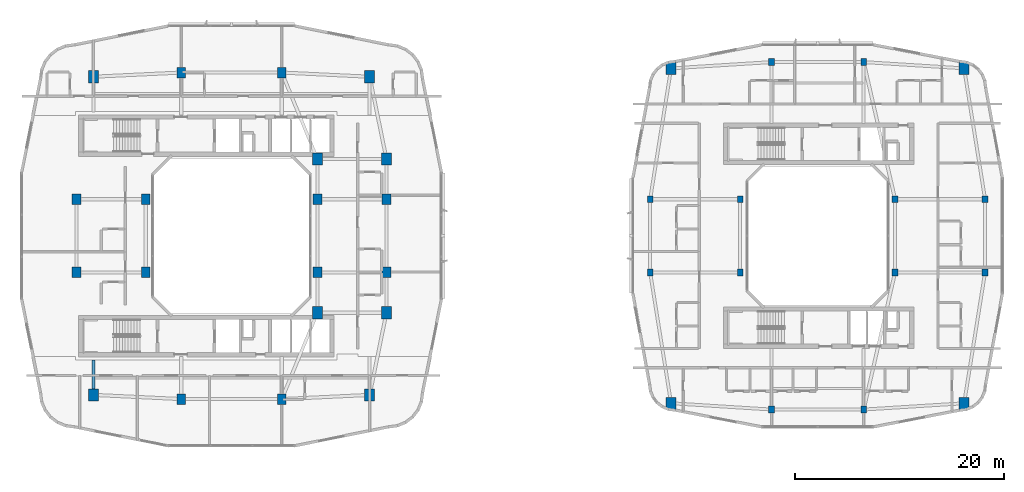
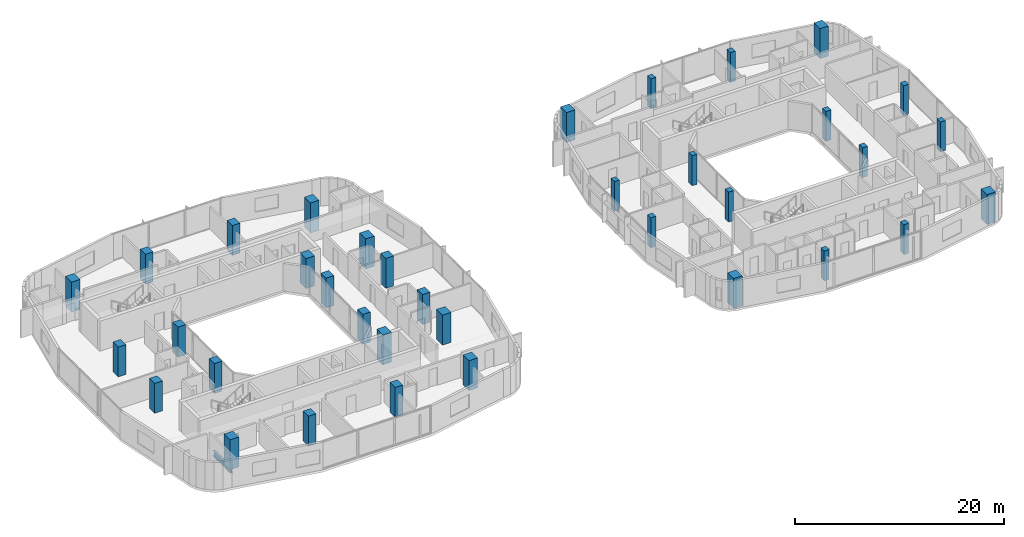
# One storey, part 1 of 26: 36 columns, 1 beam.
"""IFC4 building model written with IfcOpenShell, lengths in metres."""

from ifc_helpers import new_model, si_unit, derived_unit, direction, frame, origin, origin_2d, place, context, subcontext, project, spatial, rectangle, i_section, extrude, material, material_profile, profile_set, type_object, element, save


model = new_model("IFC4")

# Units and contexts
model_context = context("Model", 3, precision=1e-05, world=origin(), true_north=direction((0.0, 1.0)))
body_context = subcontext(model_context, "Body", "Model", "MODEL_VIEW")
ifc_project = project(units=[si_unit("LENGTHUNIT", "METRE"), si_unit("AREAUNIT", "SQUARE_METRE"), si_unit("VOLUMEUNIT", "CUBIC_METRE"), si_unit("PLANEANGLEUNIT", "RADIAN"), si_unit("MASSUNIT", "GRAM", prefix="KILO"), derived_unit("THERMALTRANSMITTANCEUNIT", [(si_unit("POWERUNIT", "WATT"), 1), (si_unit("LENGTHUNIT", "METRE"), -2), (si_unit("THERMODYNAMICTEMPERATUREUNIT", "KELVIN"), -1)])], contexts=[model_context])

# Site, building, storey
site_placement = place(None, origin())
site = spatial("IfcSite", under=ifc_project, at=site_placement, CompositionType="ELEMENT")
building_placement = place(site_placement, origin())
building = spatial("IfcBuilding", under=site, at=building_placement, Name="Kivonza Crest Hotel", CompositionType="ELEMENT")
storey_placement = place(building_placement, frame((0.0, 0.0, 109.0)))
storey = spatial("IfcBuildingStorey", under=building, at=storey_placement, Name="L29", CompositionType="ELEMENT", Elevation=109.0)

# Columns
ifc_material_1 = material(Name="Concrete C50/60", Category="concrete")
ifc_material_profile_1 = material_profile(ifc_material_1, rectangle(XDim=0.85009765625, YDim=1.0, at=origin_2d()), Name="RC 1000x850")
ifc_profile_set_1 = profile_set([ifc_material_profile_1], Name="Concrete C50/60")
column_type_1 = type_object("IfcColumnType", Name="CL-RC-1000x850", PredefinedType="COLUMN", material=ifc_profile_set_1)
for number, where, z_axis, x_axis, name in (
    (1, (16.199951171875, 9.39990234375, 0.0), (0.0, 0.0, 1.0), (1.0, 0.0, 0.0), "Tower T1 L29 column S1"),
    (2, (25.800048828125, 9.39990234375, 0.0), (0.0, 0.0, 1.0), (1.0, 0.0, 0.0), "Tower T1 L29 column S2"),
    (3, (16.199951171875, 40.60009765625, 0.0), (0.0, 0.0, 1.0), (1.0, 0.0, 0.0), "Tower T1 L29 column N1"),
    (4, (25.800048828125, 40.60009765625, 0.0), (0.0, 0.0, 1.0), (1.0, 0.0, 0.0), "Tower T1 L29 column N2"),
    (5, (6.199951171875, 21.5, 0.0), (0.0, 0.0, 1.0), (1.0, 0.0, 0.0), "Tower T1 L29 column W1"),
    (6, (6.199951171875, 28.5, 0.0), (0.0, 0.0, 1.0), (1.0, 0.0, 0.0), "Tower T1 L29 column W2"),
    (7, (35.800048828125, 21.5, 0.0), (0.0, 0.0, 1.0), (1.0, 0.0, 0.0), "Tower T1 L29 column E1"),
    (8, (35.800048828125, 28.5, 0.0), (0.0, 0.0, 1.0), (1.0, 0.0, 0.0), "Tower T1 L29 column E2"),
    (9, (12.800048828125, 21.5, 0.0), (0.0, 0.0, 1.0), (1.0, 0.0, 0.0), "Tower T1 L29 column WL1"),
    (10, (12.800048828125, 28.5, 0.0), (0.0, 0.0, 1.0), (1.0, 0.0, 0.0), "Tower T1 L29 column WL2"),
    (11, (29.199951171875, 21.5, 0.0), (0.0, 0.0, 1.0), (1.0, 0.0, 0.0), "Tower T1 L29 column WR1"),
    (12, (29.199951171875, 28.5, 0.0), (0.0, 0.0, 1.0), (1.0, 0.0, 0.0), "Tower T1 L29 column WR2"),
):
    element("IfcColumn", number, at=place(storey_placement, frame(where, z_axis=z_axis, x_axis=x_axis)), inside=storey, type_object=column_type_1, Name=name, PredefinedType="COLUMN", context=body_context, shape_type="SweptSolid", body=[
        extrude(rectangle(XDim=0.85009765625, YDim=1.0, at=origin_2d()), origin(), (0.0, 0.0, 1.0), 3.5),
    ])
ifc_material_2 = material(Name="Concrete C60/75", Category="concrete")
ifc_material_profile_2 = material_profile(ifc_material_2, rectangle(XDim=0.949951171875, YDim=1.14990234375, at=origin_2d()), Name="RC 1150x950")
ifc_profile_set_2 = profile_set([ifc_material_profile_2], Name="Concrete C60/75")
column_type_2 = type_object("IfcColumnType", Name="CL-RC-1150x950", PredefinedType="COLUMN", material=ifc_profile_set_2)
for number, where, z_axis, x_axis, name in (
    (13, (7.800048828125, 9.800048828125, 0.0), (0.0, 0.0, 1.0), (1.0, 0.0, 0.0), "Tower T1 L29 column SW"),
    (14, (34.199951171875, 9.800048828125, 0.0), (0.0, 0.0, 1.0), (1.0, 0.0, 0.0), "Tower T1 L29 column SE"),
    (15, (34.199951171875, 40.199951171875, 0.0), (0.0, 0.0, 1.0), (1.0, 0.0, 0.0), "Tower T1 L29 column NE"),
    (16, (7.800048828125, 40.199951171875, 0.0), (0.0, 0.0, 1.0), (1.0, 0.0, 0.0), "Tower T1 L29 column NW"),
    (17, (35.800048828125, 17.64990234375, 0.0), (0.0, 0.0, 1.0), (1.0, 0.0, 0.0), "Tower T1 L29 column PSE"),
    (18, (35.800048828125, 32.35009765625, 0.0), (0.0, 0.0, 1.0), (1.0, 0.0, 0.0), "Tower T1 L29 column PNE"),
    (19, (29.199951171875, 17.64990234375, 0.0), (0.0, 0.0, 1.0), (1.0, 0.0, 0.0), "Tower T1 L29 column TSE"),
    (20, (29.199951171875, 32.35009765625, 0.0), (0.0, 0.0, 1.0), (1.0, 0.0, 0.0), "Tower T1 L29 column TNE"),
    (21, (63.0, 9.0, 0.0), (0.0, 0.0, 1.0), (1.0, 0.0, 0.0), "Companion Tower T2 L29 column SW"),
    (22, (91.0, 9.0, 0.0), (0.0, 0.0, 1.0), (1.0, 0.0, 0.0), "Companion Tower T2 L29 column SE"),
    (23, (91.0, 41.0, 0.0), (0.0, 0.0, 1.0), (1.0, 0.0, 0.0), "Companion Tower T2 L29 column NE"),
    (24, (63.0, 41.0, 0.0), (0.0, 0.0, 1.0), (1.0, 0.0, 0.0), "Companion Tower T2 L29 column NW"),
):
    element("IfcColumn", number, at=place(storey_placement, frame(where, z_axis=z_axis, x_axis=x_axis)), inside=storey, type_object=column_type_2, Name=name, PredefinedType="COLUMN", context=body_context, shape_type="SweptSolid", body=[
        extrude(rectangle(XDim=0.949951171875, YDim=1.14990234375, at=origin_2d()), origin(), (0.0, 0.0, 1.0), 3.5),
    ])
ifc_material_profile_3 = material_profile(ifc_material_1, rectangle(XDim=0.550048828125, YDim=0.64990234375, at=origin_2d()), Name="RC 650x550")
ifc_profile_set_3 = profile_set([ifc_material_profile_3], Name="Concrete C50/60")
column_type_3 = type_object("IfcColumnType", Name="CL-RC-650x550", PredefinedType="COLUMN", material=ifc_profile_set_3)
for number, where, z_axis, x_axis, name in (
    (25, (72.60009765625, 8.39990234375, 0.0), (0.0, 0.0, 1.0), (1.0, 0.0, 0.0), "Companion Tower T2 L29 column S1"),
    (26, (81.39990234375, 8.39990234375, 0.0), (0.0, 0.0, 1.0), (1.0, 0.0, 0.0), "Companion Tower T2 L29 column S2"),
    (27, (72.60009765625, 41.60009765625, 0.0), (0.0, 0.0, 1.0), (1.0, 0.0, 0.0), "Companion Tower T2 L29 column N1"),
    (28, (81.39990234375, 41.60009765625, 0.0), (0.0, 0.0, 1.0), (1.0, 0.0, 0.0), "Companion Tower T2 L29 column N2"),
    (29, (61.0, 21.5, 0.0), (0.0, 0.0, 1.0), (1.0, 0.0, 0.0), "Companion Tower T2 L29 column W1"),
    (30, (61.0, 28.5, 0.0), (0.0, 0.0, 1.0), (1.0, 0.0, 0.0), "Companion Tower T2 L29 column W2"),
    (31, (93.0, 21.5, 0.0), (0.0, 0.0, 1.0), (1.0, 0.0, 0.0), "Companion Tower T2 L29 column E1"),
    (32, (93.0, 28.5, 0.0), (0.0, 0.0, 1.0), (1.0, 0.0, 0.0), "Companion Tower T2 L29 column E2"),
    (33, (69.60009765625, 21.5, 0.0), (0.0, 0.0, 1.0), (1.0, 0.0, 0.0), "Companion Tower T2 L29 column WL1"),
    (34, (69.60009765625, 28.5, 0.0), (0.0, 0.0, 1.0), (1.0, 0.0, 0.0), "Companion Tower T2 L29 column WL2"),
    (35, (84.39990234375, 21.5, 0.0), (0.0, 0.0, 1.0), (1.0, 0.0, 0.0), "Companion Tower T2 L29 column WR1"),
    (36, (84.39990234375, 28.5, 0.0), (0.0, 0.0, 1.0), (1.0, 0.0, 0.0), "Companion Tower T2 L29 column WR2"),
):
    element("IfcColumn", number, at=place(storey_placement, frame(where, z_axis=z_axis, x_axis=x_axis)), inside=storey, type_object=column_type_3, Name=name, PredefinedType="COLUMN", context=body_context, shape_type="SweptSolid", body=[
        extrude(rectangle(XDim=0.550048828125, YDim=0.64990234375, at=origin_2d()), origin(), (0.0, 0.0, 1.0), 3.5),
    ])

# Beam
ifc_material_3 = material(Name="Steel S355", Category="steel")
ifc_material_profile_4 = material_profile(ifc_material_3, i_section(OverallWidth=0.300048828125, OverallDepth=0.60009765625, WebThickness=0.015380859375, FlangeThickness=0.030029296875, FilletRadius=0.027099609375, at=origin_2d()), Name="HEB 600")
ifc_profile_set_4 = profile_set([ifc_material_profile_4], Name="Steel S355")
beam_type = type_object("IfcBeamType", Name="BM-HEB600", PredefinedType="BEAM", material=ifc_profile_set_4)
beam_placement = place(storey_placement, frame((7.800048828125, 9.800048828125, -0.580078125), z_axis=(0.0, 1.0, 0.0), x_axis=(-1.0, 0.0, 0.0)))
element("IfcBeam", 37, at=beam_placement, inside=storey, type_object=beam_type, Name="Tower T1 L29 radial core girder RSW", PredefinedType="BEAM", context=body_context, shape_type="SweptSolid", body=[
    extrude(i_section(OverallWidth=0.300048828125, OverallDepth=0.60009765625, WebThickness=0.015380859375, FlangeThickness=0.030029296875, FilletRadius=0.027099609375, at=origin_2d()), origin(), (0.0, 0.0, 1.0), 3.349853515625),
])

save(model, "model.ifc")
